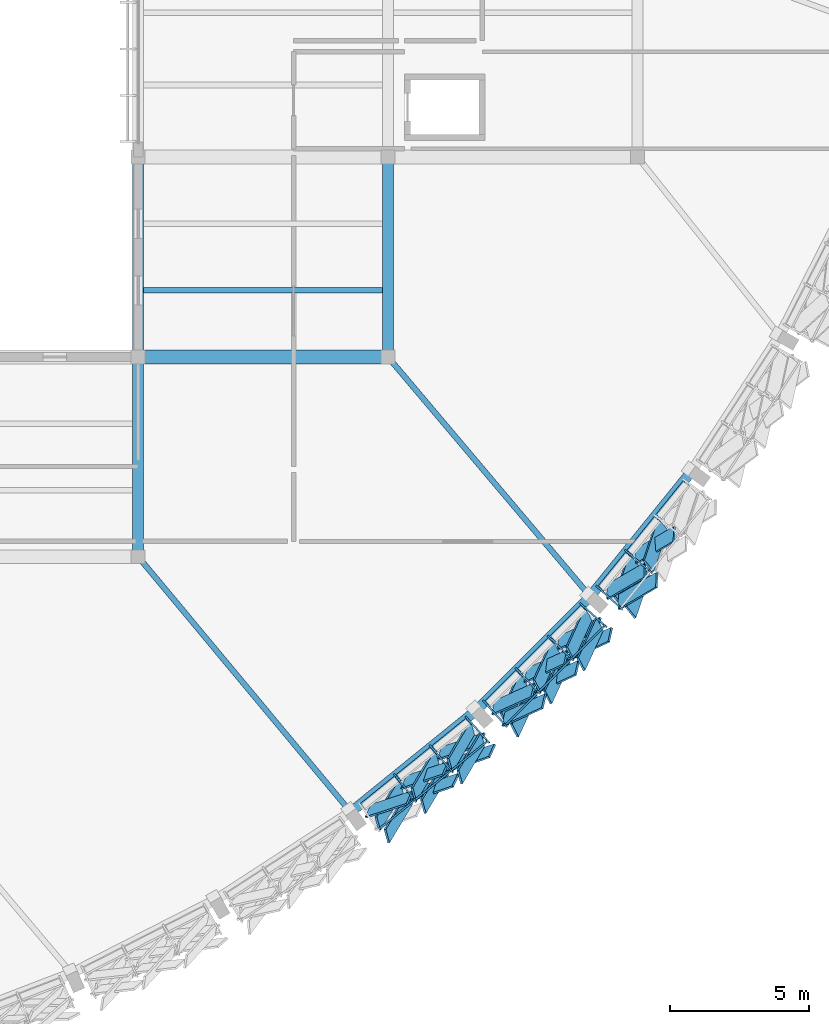
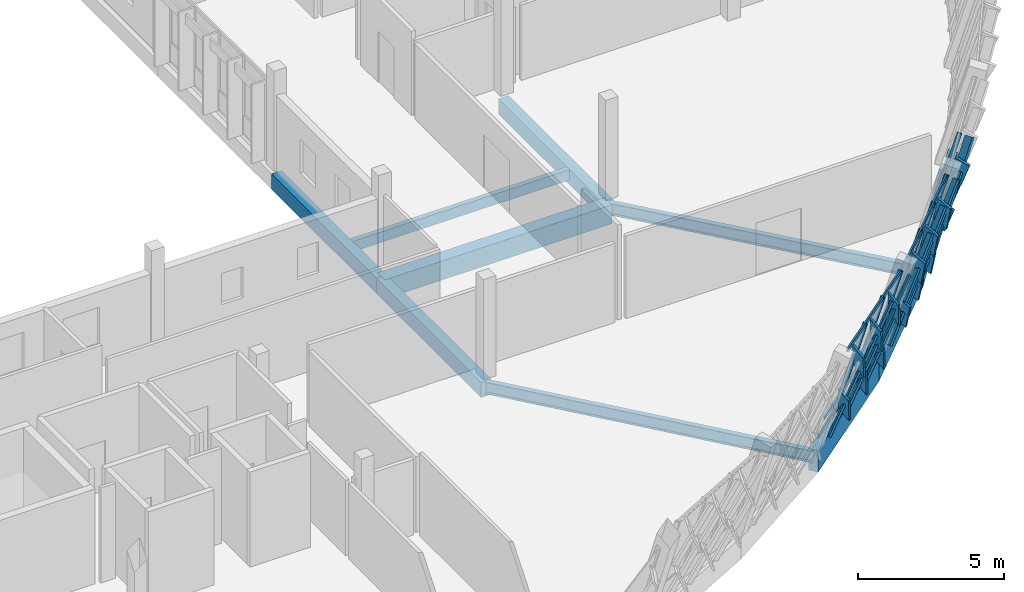
# One storey, part 8 of 24: 46 members, 10 beams, 3 elements without a shape of their own.
"""IFC4 building model written with IfcOpenShell, lengths in metres."""

import ifcopenshell
import ifcopenshell.guid

model = None  # the IFC model being written
_history = None  # IfcOwnerHistory: only IFC2X3 demands one
_inside = {}  # id of a spatial element -> (the spatial element, [elements in it])
_under = {}  # id of a project, library or spatial element -> (it, [spatial elements below it])
_declared = {}  # id of a project -> (the project, [libraries it declares])
_typed = {}  # id of a type object -> (the type object, [elements of that type])
_made_of = {}  # id of a material, layer set ... -> (it, [elements and type objects made of it])


def new_model(schema):
    """Start an empty IFC model of exactly this schema.

    Asked for "IFC4X3", IfcOpenShell would pick the latest addendum, in which some entities
    have other attributes; the version numbers below select the first issue.
    IFC2X3 requires an IfcOwnerHistory on every rooted entity: one is made here for all.
    """
    global model, _history
    if schema == "IFC4X3":
        model = ifcopenshell.file(schema_version=(4, 3, 0, 0))
    else:
        model = ifcopenshell.file(schema=schema)
    _inside.clear()
    _under.clear()
    _declared.clear()
    _typed.clear()
    _made_of.clear()
    _history = None
    if model.schema == "IFC2X3":
        org = make("IfcOrganization", Name="unknown")
        user = make(
            "IfcPersonAndOrganization",
            ThePerson=make("IfcPerson", FamilyName="unknown"),
            TheOrganization=org,
        )
        app = make(
            "IfcApplication",
            ApplicationDeveloper=org,
            Version="unknown",
            ApplicationFullName="unknown",
            ApplicationIdentifier="unknown",
        )
        _history = make(
            "IfcOwnerHistory",
            OwningUser=user,
            OwningApplication=app,
            ChangeAction="ADDED",
            CreationDate=0,
        )
    return model


def make(cls, **values):
    """One entity of the class cls with the attributes given. An attribute that is None is left unset."""
    return model.create_entity(
        cls, **{name: value for name, value in values.items() if value is not None}
    )


def rooted(cls, **values):
    """An entity with a GlobalId (a new one), such as an element, a storey or a relation."""
    return make(cls, GlobalId=ifcopenshell.guid.new(), OwnerHistory=_history, **values)


def si_unit(unit_type, name, prefix=None):
    """IfcSIUnit, for example si_unit("LENGTHUNIT", "METRE", prefix="MILLI")."""
    return make("IfcSIUnit", UnitType=unit_type, Prefix=prefix, Name=name)


def assignment(units):
    """IfcUnitAssignment: the units of a project."""
    return None if units is None else make("IfcUnitAssignment", Units=units)


def point(xyz):
    """IfcCartesianPoint."""
    return None if xyz is None else make("IfcCartesianPoint", Coordinates=xyz)


def direction(xyz):
    """IfcDirection."""
    return None if xyz is None else make("IfcDirection", DirectionRatios=xyz)


def frame(location, z_axis=None, x_axis=None):
    """IfcAxis2Placement3D, a coordinate frame: its origin and axes. An axis left out is left unset."""
    return make(
        "IfcAxis2Placement3D",
        Location=point(location),
        Axis=direction(z_axis),
        RefDirection=direction(x_axis),
    )


def frame_2d(location, x_axis=None):
    """IfcAxis2Placement2D, a coordinate frame in the plane: its origin and x axis."""
    return make(
        "IfcAxis2Placement2D", Location=point(location), RefDirection=direction(x_axis)
    )


def origin():
    """The frame at (0, 0, 0) with its axes left unset."""
    return frame((0.0, 0.0, 0.0))


def origin_2d():
    """The frame at (0, 0) in the plane with its x axis left unset."""
    return frame_2d((0.0, 0.0))


def place(relative_to, where):
    """IfcLocalPlacement: puts the frame where relative to a parent placement (None: the world)."""
    return make(
        "IfcLocalPlacement", PlacementRelTo=relative_to, RelativePlacement=where
    )


def context(
    kind, dimensions, precision=None, world=None, true_north=None, identifier=None
):
    """IfcGeometricRepresentationContext, for example the 3D "Model" context."""
    return make(
        "IfcGeometricRepresentationContext",
        ContextIdentifier=identifier,
        ContextType=kind,
        CoordinateSpaceDimension=dimensions,
        Precision=precision,
        WorldCoordinateSystem=world,
        TrueNorth=true_north,
    )


def subcontext(parent, identifier, kind, view, scale=None):
    """IfcGeometricRepresentationSubContext, for example "Body" below "Model"."""
    return make(
        "IfcGeometricRepresentationSubContext",
        ContextIdentifier=identifier,
        ContextType=kind,
        ParentContext=parent,
        TargetScale=scale,
        TargetView=view,
    )


def project(units=None, contexts=None):
    """IfcProject with its units and contexts."""
    return rooted(
        "IfcProject",
        Name="project",
        RepresentationContexts=contexts,
        UnitsInContext=assignment(units),
    )


def spatial(cls, under=None, at=None, **own):
    """A site, building, storey or space (cls), placed at a placement, below another one or the project."""
    s = rooted(cls, ObjectPlacement=at, **own)
    if under is not None:
        _under.setdefault(under.id(), (under, []))[1].append(s)
    return s


def profile(cls, at=None, kind="AREA", **sizes):
    """A parametric profile (cls). Its sizes go by their IFC names, for example OverallWidth=200.0."""
    return make(cls, ProfileType=kind, Position=at, **sizes)


def rectangle(**sizes):
    """IfcRectangleProfileDef."""
    return profile("IfcRectangleProfileDef", **sizes)


def hollow_rectangle(**sizes):
    """IfcRectangleHollowProfileDef."""
    return profile("IfcRectangleHollowProfileDef", **sizes)


def i_section(**sizes):
    """IfcIShapeProfileDef."""
    return profile("IfcIShapeProfileDef", **sizes)


def extrude(swept, where, along, depth):
    """IfcExtrudedAreaSolid: the profile swept, set in the frame where, extruded along a direction by depth."""
    return make(
        "IfcExtrudedAreaSolid",
        SweptArea=swept,
        Position=where,
        ExtrudedDirection=direction(along),
        Depth=depth,
    )


def shape(context_of_items, identifier, shape_type, items):
    """IfcShapeRepresentation: the items that make up one representation, for example the "Body"."""
    return make(
        "IfcShapeRepresentation",
        ContextOfItems=context_of_items,
        RepresentationIdentifier=identifier,
        RepresentationType=shape_type,
        Items=items,
    )


def material(Name=None, Category=None):
    """IfcMaterial."""
    return make("IfcMaterial", Name=Name, Category=Category)


def material_profile(
    of_material, cross_section, Name=None, Category=None, Priority=None
):
    """IfcMaterialProfile: a cross section and its material."""
    return make(
        "IfcMaterialProfile",
        Name=Name,
        Material=of_material,
        Profile=cross_section,
        Priority=Priority,
        Category=Category,
    )


def profile_set(profiles, Name=None, composite=None):
    """IfcMaterialProfileSet."""
    return make(
        "IfcMaterialProfileSet",
        Name=Name,
        MaterialProfiles=profiles,
        CompositeProfile=composite,
    )


def made_of(thing, what):
    """Note that an element or type object is made of a material, layer set ...; save() writes the relation."""
    if what is not None:
        _made_of.setdefault(what.id(), (what, []))[1].append(thing)
    return thing


def type_object(cls, material=None, **own):
    """A type object (cls), such as IfcWallType, which elements share."""
    return made_of(rooted(cls, **own), material)


def element(
    cls,
    number,
    at=None,
    inside=None,
    cuts=None,
    type_object=None,
    material=None,
    context=None,
    identifier="Body",
    shape_type=None,
    held_by="IfcProductDefinitionShape",
    body=None,
    shapes=None,
    **own,
):
    """One element of the class cls, such as IfcWall. Its Tag is "e" and its number.

    at: its placement. inside: the storey or other place that contains it. cuts: it is an
    opening in that element (IfcRelVoidsElement). A single representation is given by context,
    identifier, shape_type and body (its items); several are given by shapes. held_by: the class
    of the entity that holds the representations. save() writes the other relations.
    """
    e = rooted(cls, Tag="e%d" % number, ObjectPlacement=at, **own)
    if body is not None:
        shapes = [shape(context, identifier, shape_type, body)]
    if shapes is not None:
        e.Representation = make(held_by, Representations=shapes)
    if inside is not None:
        _inside.setdefault(inside.id(), (inside, []))[1].append(e)
    if cuts is not None:
        rooted(
            "IfcRelVoidsElement", RelatingBuildingElement=cuts, RelatedOpeningElement=e
        )
    if type_object is not None:
        _typed.setdefault(type_object.id(), (type_object, []))[1].append(e)
    return made_of(e, material)


def aggregate(whole, parts):
    """IfcRelAggregates: a whole, such as a stair, and the parts it consists of."""
    return rooted("IfcRelAggregates", RelatingObject=whole, RelatedObjects=parts)


def save(model, path):
    """Write the relations noted so far, then the file.

    IfcRelAggregates (storeys below a building ...), IfcRelContainedInSpatialStructure (elements
    in a storey), IfcRelDefinesByType, IfcRelAssociatesMaterial and IfcRelDeclares: one each for
    every whole, place, type object, material and project.
    """
    for whole, parts in _under.values():
        aggregate(whole, parts)
    for where, things in _inside.values():
        rooted(
            "IfcRelContainedInSpatialStructure",
            RelatedElements=things,
            RelatingStructure=where,
        )
    for kind, things in _typed.values():
        rooted("IfcRelDefinesByType", RelatedObjects=things, RelatingType=kind)
    for what, things in _made_of.values():
        rooted("IfcRelAssociatesMaterial", RelatedObjects=things, RelatingMaterial=what)
    for by, libraries in _declared.values():
        rooted("IfcRelDeclares", RelatingContext=by, RelatedDefinitions=libraries)
    model.write(path)


model = new_model("IFC4")

# Units and contexts
model_context = context("Model", 3, precision=1e-05, world=origin(), true_north=direction((0.0, 1.0)))
body_context = subcontext(model_context, "Body", "Model", "MODEL_VIEW")
ifc_project = project(units=[si_unit("LENGTHUNIT", "METRE"), si_unit("AREAUNIT", "SQUARE_METRE"), si_unit("VOLUMEUNIT", "CUBIC_METRE"), si_unit("PLANEANGLEUNIT", "RADIAN"), si_unit("MASSUNIT", "GRAM", prefix="KILO")], contexts=[model_context])

# Site, building, storey
site_placement = place(None, origin())
site = spatial("IfcSite", under=ifc_project, at=site_placement, CompositionType="ELEMENT")
building_placement = place(site_placement, origin())
building = spatial("IfcBuilding", under=site, at=building_placement, Name="Chiffa Square Polytechnic", CompositionType="ELEMENT")
storey_placement = place(building_placement, frame((0.0, 0.0, 22.199951171875)))
storey = spatial("IfcBuildingStorey", under=building, at=storey_placement, Name="L05", CompositionType="ELEMENT", Elevation=22.199951171875)

# Beams
ifc_material_1 = material(Name="Concrete C35/45", Category="concrete")
ifc_material_profile_1 = material_profile(ifc_material_1, rectangle(XDim=0.39990234375, YDim=0.64990234375, at=origin_2d()), Name="RC 400x650")
ifc_profile_set_1 = profile_set([ifc_material_profile_1], Name="Concrete C35/45")
beam_type_1 = type_object("IfcBeamType", Name="BM-RC-400X650", PredefinedType="BEAM", material=ifc_profile_set_1)
for number, where, z_axis, x_axis, name in (
    (1, (148.199951171875, 21.60009765625, -0.5849609375), (0.0, 1.0, 0.0), (-1.0, 0.0, 0.0), "Primary floor girder BM-V1-L05-Y-1482-0216"),
    (2, (148.199951171875, 28.800048828125, -0.5849609375), (0.0, 1.0, 0.0), (-1.0, 0.0, 0.0), "Primary floor girder BM-V1-L05-Y-1482-0288"),
    (3, (157.199951171875, 28.800048828125, -0.5849609375), (0.0, 1.0, 0.0), (-1.0, 0.0, 0.0), "Primary floor girder BM-V1-L05-Y-1572-0288"),
):
    element("IfcBeam", number, at=place(storey_placement, frame(where, z_axis=z_axis, x_axis=x_axis)), inside=storey, type_object=beam_type_1, Name=name, PredefinedType="BEAM", context=body_context, shape_type="SweptSolid", body=[
        extrude(rectangle(XDim=0.39990234375, YDim=0.64990234375, at=origin_2d()), origin(), (0.0, 0.0, 1.0), 7.199951171875),
    ])
ifc_material_2 = material(Name="Concrete C40/50", Category="concrete")
ifc_material_profile_2 = material_profile(ifc_material_2, rectangle(XDim=0.5, YDim=0.800048828125, at=origin_2d()), Name="RC 500x800")
ifc_profile_set_2 = profile_set([ifc_material_profile_2], Name="Concrete C40/50")
beam_type_2 = type_object("IfcBeamType", Name="BM-RC-500X800", PredefinedType="BEAM", material=ifc_profile_set_2)
beam_1_placement = place(storey_placement, frame((148.199951171875, 28.800048828125, -0.659912109375), z_axis=(1.0, 0.0, 0.0), x_axis=(0.0, 1.0, 0.0)))
element("IfcBeam", 4, at=beam_1_placement, inside=storey, type_object=beam_type_2, Name="Primary floor girder BM-V1-L05-X-1482-0288", PredefinedType="BEAM", context=body_context, shape_type="SweptSolid", body=[
    extrude(rectangle(XDim=0.5, YDim=0.800048828125, at=origin_2d()), origin(), (0.0, 0.0, 1.0), 9.0),
])
ifc_material_3 = material(Name="Steel S355", Category="steel")
ifc_material_profile_3 = material_profile(ifc_material_3, i_section(OverallWidth=0.199951171875, OverallDepth=0.5, WebThickness=0.01025390625, FlangeThickness=0.01611328125, FilletRadius=0.02099609375, at=origin_2d()), Name="IPE 500")
ifc_profile_set_3 = profile_set([ifc_material_profile_3], Name="Steel S355")
beam_type_3 = type_object("IfcBeamType", Name="BM-STL-IPE500", PredefinedType="BEAM", material=ifc_profile_set_3)
beam_2_placement = place(storey_placement, frame((155.861083984375, 12.39697265625, -0.510009765625), z_axis=(-0.63978323212, 0.768555408476, 0.0), x_axis=(-0.768555408476, -0.63978323212, 0.0)))
element("IfcBeam", 5, at=beam_2_placement, inside=storey, type_object=beam_type_3, Name="Prow radial tie girder BM-V1-RAD-L05-09", PredefinedType="BEAM", context=body_context, shape_type="SweptSolid", body=[
    extrude(i_section(OverallWidth=0.199951171875, OverallDepth=0.5, WebThickness=0.01025390625, FlangeThickness=0.01611328125, FilletRadius=0.02099609375, at=origin_2d()), origin(), (0.0, 0.0, 1.0), 11.974609375),
])
beam_3_placement = place(storey_placement, frame((164.492919921875, 20.1689453125, -0.510009765625), z_axis=(-0.645412293645, 0.763834387293, 0.0), x_axis=(-0.763834387293, -0.645412293645, 0.0)))
element("IfcBeam", 6, at=beam_3_placement, inside=storey, type_object=beam_type_3, Name="Prow radial tie girder BM-V1-RAD-L05-11", PredefinedType="BEAM", context=body_context, shape_type="SweptSolid", body=[
    extrude(i_section(OverallWidth=0.199951171875, OverallDepth=0.5, WebThickness=0.01025390625, FlangeThickness=0.01611328125, FilletRadius=0.02099609375, at=origin_2d()), origin(), (0.0, 0.0, 1.0), 11.2998046875),
])

# Curtain wall, members
ifc_material_4 = material(Name="Aluminium EN AW-6060 T66 and glulam shading", Category="wood")
curtain_wall_type_1 = type_object("IfcCurtainWallType", Name="CW-PROW-LEAN-150", PredefinedType="USERDEFINED", material=ifc_material_4)
curtain_wall_1_placement = place(storey_placement, origin())
curtain_wall_1 = element("IfcCurtainWall", 7, at=curtain_wall_1_placement, inside=storey, type_object=curtain_wall_type_1, Name="Outward-leaning diamond-fin prow curtain wall CW-V1-L05-086", ObjectType="CURTAIN WALL", PredefinedType="USERDEFINED")
ifc_material_5 = material(Name="Aluminium EN AW-6060 T66", Category="aluminium")
ifc_material_profile_4 = material_profile(ifc_material_5, hollow_rectangle(XDim=0.06494140625, YDim=0.179931640625, WallThickness=0.00390625, at=origin_2d()), Name="ALU 65x180x4")
ifc_profile_set_4 = profile_set([ifc_material_profile_4], Name="Aluminium EN AW-6060 T66")
member_type_1 = type_object("IfcMemberType", Name="CWM-ALU-75X180", PredefinedType="MULLION", material=ifc_profile_set_4)
member_1_placement = place(storey_placement, frame((157.47900390625, 13.707275390625, 0.0), z_axis=(0.167404723396, -0.214450409061, 0.962282017206), x_axis=(0.78826444507, 0.61533662709, 0.0)))
member_1 = element("IfcMember", 8, at=member_1_placement, type_object=member_type_1, Name="Leaning prow mullion CW-V1-L05-086-M01", PredefinedType="MULLION", context=body_context, shape_type="SweptSolid", body=[
    extrude(hollow_rectangle(XDim=0.06494140625, YDim=0.179931640625, WallThickness=0.00390625, at=origin_2d()), origin(), (0.0, 0.0, 1.0), 4.135986328125),
])
member_2_placement = place(storey_placement, frame((158.762939453125, 14.74658203125, 0.0), z_axis=(0.174730062693, -0.208377405847, 0.962314014199), x_axis=(0.766260492227, 0.642530044474, 0.0)))
member_2 = element("IfcMember", 9, at=member_2_placement, type_object=member_type_1, Name="Leaning prow mullion CW-V1-L05-086-M02", PredefinedType="MULLION", context=body_context, shape_type="SweptSolid", body=[
    extrude(hollow_rectangle(XDim=0.06494140625, YDim=0.179931640625, WallThickness=0.00390625, at=origin_2d()), origin(), (0.0, 0.0, 1.0), 4.1357421875),
])
member_3_placement = place(storey_placement, frame((160.047119140625, 15.785888671875, 0.0), z_axis=(0.182037231982, -0.202342292877, 0.962247391623), x_axis=(0.743423534247, 0.668820939212, 0.0)))
member_3 = element("IfcMember", 10, at=member_3_placement, type_object=member_type_1, Name="Leaning prow mullion CW-V1-L05-086-M03", PredefinedType="MULLION", context=body_context, shape_type="SweptSolid", body=[
    extrude(hollow_rectangle(XDim=0.06494140625, YDim=0.179931640625, WallThickness=0.00390625, at=origin_2d()), origin(), (0.0, 0.0, 1.0), 4.13623046875),
])

curtain_wall_type_2 = type_object("IfcCurtainWallType", Name="CW-PROW-LEAN-300", PredefinedType="USERDEFINED", material=ifc_material_4)
curtain_wall_2_placement = place(storey_placement, origin())
curtain_wall_2 = element("IfcCurtainWall", 11, at=curtain_wall_2_placement, inside=storey, type_object=curtain_wall_type_2, Name="Outward-leaning diamond-fin prow curtain wall CW-V1-L05-087", ObjectType="CURTAIN WALL", PredefinedType="USERDEFINED")
member_4_placement = place(storey_placement, frame((160.68505859375, 16.361083984375, 0.0), z_axis=(0.182035057537, -0.202398901523, 0.962235897527), x_axis=(0.743520520502, 0.668713119052, 0.0)))
member_4 = element("IfcMember", 12, at=member_4_placement, type_object=member_type_1, Name="Leaning prow mullion CW-V1-L05-087-M00", PredefinedType="MULLION", context=body_context, shape_type="SweptSolid", body=[
    extrude(hollow_rectangle(XDim=0.06494140625, YDim=0.179931640625, WallThickness=0.00390625, at=origin_2d()), origin(), (0.0, 0.0, 1.0), 4.13623046875),
])
member_5_placement = place(storey_placement, frame((161.85302734375, 17.529052734375, 0.0), z_axis=(0.188840408446, -0.195628982053, 0.962324582207), x_axis=(0.719480013975, 0.694513145657, 0.0)))
member_5 = element("IfcMember", 13, at=member_5_placement, type_object=member_type_1, Name="Leaning prow mullion CW-V1-L05-087-M01", PredefinedType="MULLION", context=body_context, shape_type="SweptSolid", body=[
    extrude(hollow_rectangle(XDim=0.06494140625, YDim=0.179931640625, WallThickness=0.00390625, at=origin_2d()), origin(), (0.0, 0.0, 1.0), 4.1357421875),
])
member_6_placement = place(storey_placement, frame((163.02099609375, 18.697021484375, 0.0), z_axis=(0.195628982053, -0.188840408446, 0.962324582207), x_axis=(0.694513145657, 0.719480013975, 0.0)))
member_6 = element("IfcMember", 14, at=member_6_placement, type_object=member_type_1, Name="Leaning prow mullion CW-V1-L05-087-M02", PredefinedType="MULLION", context=body_context, shape_type="SweptSolid", body=[
    extrude(hollow_rectangle(XDim=0.06494140625, YDim=0.179931640625, WallThickness=0.00390625, at=origin_2d()), origin(), (0.0, 0.0, 1.0), 4.1357421875),
])
member_7_placement = place(storey_placement, frame((164.18896484375, 19.864990234375, 0.0), z_axis=(0.202342292877, -0.182037231982, 0.962247391623), x_axis=(0.668820939212, 0.743423534247, 0.0)))
member_7 = element("IfcMember", 15, at=member_7_placement, type_object=member_type_1, Name="Leaning prow mullion CW-V1-L05-087-M03", PredefinedType="MULLION", context=body_context, shape_type="SweptSolid", body=[
    extrude(hollow_rectangle(XDim=0.06494140625, YDim=0.179931640625, WallThickness=0.00390625, at=origin_2d()), origin(), (0.0, 0.0, 1.0), 4.13623046875),
])

curtain_wall_3_placement = place(storey_placement, origin())
curtain_wall_3 = element("IfcCurtainWall", 16, at=curtain_wall_3_placement, inside=storey, type_object=curtain_wall_type_1, Name="Outward-leaning diamond-fin prow curtain wall CW-V1-L05-088", ObjectType="CURTAIN WALL", PredefinedType="USERDEFINED")
member_8_placement = place(storey_placement, frame((164.763916015625, 20.5029296875, 0.0), z_axis=(0.202398901523, -0.182035057537, 0.962235897527), x_axis=(0.668713119052, 0.743520520502, 0.0)))
member_8 = element("IfcMember", 17, at=member_8_placement, type_object=member_type_1, Name="Leaning prow mullion CW-V1-L05-088-M00", PredefinedType="MULLION", context=body_context, shape_type="SweptSolid", body=[
    extrude(hollow_rectangle(XDim=0.06494140625, YDim=0.179931640625, WallThickness=0.00390625, at=origin_2d()), origin(), (0.0, 0.0, 1.0), 4.13623046875),
])
member_9_placement = place(storey_placement, frame((165.80322265625, 21.787109375, 0.0), z_axis=(0.208431721918, -0.17478513979, 0.962292248855), x_axis=(0.642550618395, 0.76624323997, 0.0)))
member_9 = element("IfcMember", 18, at=member_9_placement, type_object=member_type_1, Name="Leaning prow mullion CW-V1-L05-088-M01", PredefinedType="MULLION", context=body_context, shape_type="SweptSolid", body=[
    extrude(hollow_rectangle(XDim=0.06494140625, YDim=0.179931640625, WallThickness=0.00390625, at=origin_2d()), origin(), (0.0, 0.0, 1.0), 4.135986328125),
])

# Member
ifc_material_6 = material(Name="Glulam GL28h", Category="wood")
ifc_material_profile_5 = material_profile(ifc_material_6, rectangle(XDim=0.080078125, YDim=0.580078125, at=origin_2d()), Name="GL28h 80x580")
ifc_profile_set_5 = profile_set([ifc_material_profile_5], Name="Glulam GL28h")
member_type_2 = type_object("IfcMemberType", Name="CWM-GL-80X580", PredefinedType="MULLION", material=ifc_profile_set_5)
member_10_placement = place(storey_placement, frame((156.508056640625, 12.425048828125, 0.0400390625), z_axis=(0.593318250374, 0.196176232043, 0.780697341967), x_axis=(-0.710439103611, 0.583623525674, 0.393268178652)))
member_10 = element("IfcMember", 19, at=member_10_placement, type_object=member_type_2, Name="Diamond glulam fin CW-V1-L05-086-DF01A", PredefinedType="MULLION", context=body_context, shape_type="SweptSolid", body=[
    extrude(rectangle(XDim=0.080078125, YDim=0.580078125, at=origin_2d()), origin(), (0.0, 0.0, 1.0), 2.497802734375),
])

member_11_placement = place(storey_placement, frame((157.65087890625, 13.35009765625, 0.0400390625), z_axis=(-0.324465182895, -0.544326665035, 0.773583109188), x_axis=(0.916815363413, 0.020259953301, 0.398797095904)))
member_11 = element("IfcMember", 20, at=member_11_placement, type_object=member_type_2, Name="Diamond glulam fin CW-V1-L05-086-DF01B", PredefinedType="MULLION", context=body_context, shape_type="SweptSolid", body=[
    extrude(rectangle(XDim=0.080078125, YDim=0.580078125, at=origin_2d()), origin(), (0.0, 0.0, 1.0), 2.520751953125),
])

member_12_placement = place(storey_placement, frame((157.989990234375, 12.9150390625, 1.989990234375), z_axis=(-0.328354274233, -0.546453279533, 0.770436424295), x_axis=(0.915861260637, 0.015324164928, 0.401202344501)))
member_12 = element("IfcMember", 21, at=member_12_placement, type_object=member_type_2, Name="Diamond glulam fin CW-V1-L05-086-DF02B", PredefinedType="MULLION", context=body_context, shape_type="SweptSolid", body=[
    extrude(rectangle(XDim=0.080078125, YDim=0.580078125, at=origin_2d()), origin(), (0.0, 0.0, 1.0), 2.531005859375),
])

member_13_placement = place(storey_placement, frame((157.79296875, 13.464111328125, 0.0400390625), z_axis=(0.59641014435, 0.200101053653, 0.777338091208), x_axis=(-0.710984677845, 0.58117819907, 0.39589479511)))
member_13 = element("IfcMember", 22, at=member_13_placement, type_object=member_type_2, Name="Diamond glulam fin CW-V1-L05-086-DF03A", PredefinedType="MULLION", context=body_context, shape_type="SweptSolid", body=[
    extrude(rectangle(XDim=0.080078125, YDim=0.580078125, at=origin_2d()), origin(), (0.0, 0.0, 1.0), 2.508544921875),
])

member_14_placement = place(storey_placement, frame((158.93603515625, 14.388916015625, 0.0400390625), z_axis=(-0.320075464149, -0.541666170098, 0.77727051753), x_axis=(0.917911629644, 0.025767162905, 0.395947336751)))
member_14 = element("IfcMember", 23, at=member_14_placement, type_object=member_type_2, Name="Diamond glulam fin CW-V1-L05-086-DF03B", PredefinedType="MULLION", context=body_context, shape_type="SweptSolid", body=[
    extrude(rectangle(XDim=0.080078125, YDim=0.580078125, at=origin_2d()), origin(), (0.0, 0.0, 1.0), 2.5087890625),
])

member_15_placement = place(storey_placement, frame((158.133056640625, 13.030029296875, 1.989990234375), z_axis=(0.599190906854, 0.203672560314, 0.774265939661), x_axis=(-0.711445828794, 0.578985574417, 0.398271938892)))
member_15 = element("IfcMember", 24, at=member_15_placement, type_object=member_type_2, Name="Diamond glulam fin CW-V1-L05-086-DF04A", PredefinedType="MULLION", context=body_context, shape_type="SweptSolid", body=[
    extrude(rectangle(XDim=0.080078125, YDim=0.580078125, at=origin_2d()), origin(), (0.0, 0.0, 1.0), 2.5185546875),
])

member_16_placement = place(storey_placement, frame((159.2890625, 13.966064453125, 1.989990234375), z_axis=(-0.323995014816, -0.543900694928, 0.77407962409), x_axis=(0.916969290364, 0.020797404904, 0.39841534669)))
member_16 = element("IfcMember", 25, at=member_16_placement, type_object=member_type_2, Name="Diamond glulam fin CW-V1-L05-086-DF04B", PredefinedType="MULLION", context=body_context, shape_type="SweptSolid", body=[
    extrude(rectangle(XDim=0.080078125, YDim=0.580078125, at=origin_2d()), origin(), (0.0, 0.0, 1.0), 2.51904296875),
])

member_17_placement = place(storey_placement, frame((159.076904296875, 14.50390625, 0.0400390625), z_axis=(0.5996284414, 0.204042251994, 0.773829756255), x_axis=(-0.711377165001, 0.578838977216, 0.398607535768)))
member_17 = element("IfcMember", 26, at=member_17_placement, type_object=member_type_2, Name="Diamond glulam fin CW-V1-L05-086-DF05A", PredefinedType="MULLION", context=body_context, shape_type="SweptSolid", body=[
    extrude(rectangle(XDim=0.080078125, YDim=0.580078125, at=origin_2d()), origin(), (0.0, 0.0, 1.0), 2.519775390625),
])

member_18_placement = place(storey_placement, frame((160.219970703125, 15.428955078125, 0.0400390625), z_axis=(-0.31554773529, -0.539305097768, 0.780755812194), x_axis=(0.918899533682, 0.031621905464, 0.393222204478)))
member_18 = element("IfcMember", 27, at=member_18_placement, type_object=member_type_2, Name="Diamond glulam fin CW-V1-L05-086-DF05B", PredefinedType="MULLION", context=body_context, shape_type="SweptSolid", body=[
    extrude(rectangle(XDim=0.080078125, YDim=0.580078125, at=origin_2d()), origin(), (0.0, 0.0, 1.0), 2.49755859375),
])

member_19_placement = place(storey_placement, frame((159.431884765625, 14.08203125, 1.989990234375), z_axis=(0.602437481057, 0.207470860848, 0.77073012353), x_axis=(-0.711654659708, 0.576856645352, 0.400978872299)))
member_19 = element("IfcMember", 28, at=member_19_placement, type_object=member_type_2, Name="Diamond glulam fin CW-V1-L05-086-DF06A", PredefinedType="MULLION", context=body_context, shape_type="SweptSolid", body=[
    extrude(rectangle(XDim=0.080078125, YDim=0.580078125, at=origin_2d()), origin(), (0.0, 0.0, 1.0), 2.530029296875),
])

member_20_placement = place(storey_placement, frame((160.587890625, 15.01806640625, 1.989990234375), z_axis=(-0.319339529737, -0.541611525588, 0.777611226833), x_axis=(0.917995278791, 0.026836245041, 0.395682301941)))
member_20 = element("IfcMember", 29, at=member_20_placement, type_object=member_type_2, Name="Diamond glulam fin CW-V1-L05-086-DF06B", PredefinedType="MULLION", context=body_context, shape_type="SweptSolid", body=[
    extrude(rectangle(XDim=0.080078125, YDim=0.580078125, at=origin_2d()), origin(), (0.0, 0.0, 1.0), 2.507568359375),
])

member_21_placement = place(storey_placement, frame((161.02197265625, 16.152099609375, 0.0400390625), z_axis=(0.569453954124, 0.257011921956, 0.780811799415), x_axis=(-0.794121354062, 0.417378494984, 0.441776489809)))
member_21 = element("IfcMember", 30, at=member_21_placement, type_object=member_type_2, Name="Diamond glulam fin CW-V1-L05-087-DF01A", PredefinedType="MULLION", context=body_context, shape_type="SweptSolid", body=[
    extrude(rectangle(XDim=0.080078125, YDim=0.580078125, at=origin_2d()), origin(), (0.0, 0.0, 1.0), 2.497314453125),
])

member_22_placement = place(storey_placement, frame((162.06201171875, 17.19091796875, 0.0400390625), z_axis=(-0.265837151515, -0.574979407522, 0.773775994588), x_axis=(0.871441241107, 0.199886988567, 0.447923380836)))
member_22 = element("IfcMember", 31, at=member_22_placement, type_object=member_type_2, Name="Diamond glulam fin CW-V1-L05-087-DF01B", PredefinedType="MULLION", context=body_context, shape_type="SweptSolid", body=[
    extrude(rectangle(XDim=0.080078125, YDim=0.580078125, at=origin_2d()), origin(), (0.0, 0.0, 1.0), 2.52001953125),
])

member_23_placement = place(storey_placement, frame((161.39208984375, 15.741943359375, 1.989990234375), z_axis=(0.57183298468, 0.261234104869, 0.777665596568), x_axis=(-0.793994734944, 0.41467366799, 0.444542585089)))
member_23 = element("IfcMember", 32, at=member_23_placement, type_object=member_type_2, Name="Diamond glulam fin CW-V1-L05-087-DF02A", PredefinedType="MULLION", context=body_context, shape_type="SweptSolid", body=[
    extrude(rectangle(XDim=0.080078125, YDim=0.580078125, at=origin_2d()), origin(), (0.0, 0.0, 1.0), 2.50732421875),
])

member_24_placement = place(storey_placement, frame((162.444091796875, 16.7939453125, 1.989990234375), z_axis=(-0.269951957311, -0.577338281827, 0.770588378501), x_axis=(0.871339367639, 0.194090007324, 0.450662596029)))
member_24 = element("IfcMember", 33, at=member_24_placement, type_object=member_type_2, Name="Diamond glulam fin CW-V1-L05-087-DF02B", PredefinedType="MULLION", context=body_context, shape_type="SweptSolid", body=[
    extrude(rectangle(XDim=0.080078125, YDim=0.580078125, at=origin_2d()), origin(), (0.0, 0.0, 1.0), 2.530517578125),
])

member_25_placement = place(storey_placement, frame((162.18994140625, 17.320068359375, 0.0400390625), z_axis=(0.572364080749, 0.261465876398, 0.777196857011), x_axis=(-0.793686748422, 0.414823845329, 0.444952270166)))
member_25 = element("IfcMember", 34, at=member_25_placement, type_object=member_type_2, Name="Diamond glulam fin CW-V1-L05-087-DF03A", PredefinedType="MULLION", context=body_context, shape_type="SweptSolid", body=[
    extrude(rectangle(XDim=0.080078125, YDim=0.580078125, at=origin_2d()), origin(), (0.0, 0.0, 1.0), 2.509033203125),
])

member_26_placement = place(storey_placement, frame((163.22998046875, 18.360107421875, 0.0400390625), z_axis=(-0.261465876398, -0.572364080749, 0.777196857011), x_axis=(0.871525543415, 0.206059953529, 0.444952270166)))
member_26 = element("IfcMember", 35, at=member_26_placement, type_object=member_type_2, Name="Diamond glulam fin CW-V1-L05-087-DF03B", PredefinedType="MULLION", context=body_context, shape_type="SweptSolid", body=[
    extrude(rectangle(XDim=0.080078125, YDim=0.580078125, at=origin_2d()), origin(), (0.0, 0.0, 1.0), 2.509033203125),
])

member_27_placement = place(storey_placement, frame((162.573974609375, 16.924072265625, 1.989990234375), z_axis=(0.574519450611, 0.26559529183, 0.774200582425), x_axis=(-0.793630242827, 0.412121715739, 0.44755639766)))
member_27 = element("IfcMember", 36, at=member_27_placement, type_object=member_type_2, Name="Diamond glulam fin CW-V1-L05-087-DF04A", PredefinedType="MULLION", context=body_context, shape_type="SweptSolid", body=[
    extrude(rectangle(XDim=0.080078125, YDim=0.580078125, at=origin_2d()), origin(), (0.0, 0.0, 1.0), 2.5185546875),
])

member_28_placement = place(storey_placement, frame((163.6259765625, 17.97607421875, 1.989990234375), z_axis=(-0.26559529183, -0.574519450611, 0.774200582425), x_axis=(0.871558851928, 0.200196000308, 0.44755639766)))
member_28 = element("IfcMember", 37, at=member_28_placement, type_object=member_type_2, Name="Diamond glulam fin CW-V1-L05-087-DF04B", PredefinedType="MULLION", context=body_context, shape_type="SweptSolid", body=[
    extrude(rectangle(XDim=0.080078125, YDim=0.580078125, at=origin_2d()), origin(), (0.0, 0.0, 1.0), 2.5185546875),
])

member_29_placement = place(storey_placement, frame((163.35888671875, 18.488037109375, 0.0400390625), z_axis=(0.575044253065, 0.265822343398, 0.773732892391), x_axis=(-0.793320869209, 0.412278174126, 0.447960607215)))
member_29 = element("IfcMember", 38, at=member_29_placement, type_object=member_type_2, Name="Diamond glulam fin CW-V1-L05-087-DF05A", PredefinedType="MULLION", context=body_context, shape_type="SweptSolid", body=[
    extrude(rectangle(XDim=0.080078125, YDim=0.580078125, at=origin_2d()), origin(), (0.0, 0.0, 1.0), 2.520263671875),
])

member_30_placement = place(storey_placement, frame((164.39794921875, 19.528076171875, 0.0400390625), z_axis=(-0.257011921956, -0.569453954124, 0.780811799415), x_axis=(0.871630692379, 0.212352228985, 0.441776489809)))
member_30 = element("IfcMember", 39, at=member_30_placement, type_object=member_type_2, Name="Diamond glulam fin CW-V1-L05-087-DF05B", PredefinedType="MULLION", context=body_context, shape_type="SweptSolid", body=[
    extrude(rectangle(XDim=0.080078125, YDim=0.580078125, at=origin_2d()), origin(), (0.0, 0.0, 1.0), 2.497314453125),
])

member_31_placement = place(storey_placement, frame((163.756103515625, 18.10595703125, 1.989990234375), z_axis=(0.577338281827, 0.269951957311, 0.770588378501), x_axis=(-0.793101240318, 0.409748272902, 0.450662596029)))
member_31 = element("IfcMember", 40, at=member_31_placement, type_object=member_type_2, Name="Diamond glulam fin CW-V1-L05-087-DF06A", PredefinedType="MULLION", context=body_context, shape_type="SweptSolid", body=[
    extrude(rectangle(XDim=0.080078125, YDim=0.580078125, at=origin_2d()), origin(), (0.0, 0.0, 1.0), 2.530517578125),
])

member_32_placement = place(storey_placement, frame((164.80810546875, 19.157958984375, 1.989990234375), z_axis=(-0.261234104869, -0.57183298468, 0.777665596568), x_axis=(0.87166650247, 0.206347761106, 0.444542585089)))
member_32 = element("IfcMember", 41, at=member_32_placement, type_object=member_type_2, Name="Diamond glulam fin CW-V1-L05-087-DF06B", PredefinedType="MULLION", context=body_context, shape_type="SweptSolid", body=[
    extrude(rectangle(XDim=0.080078125, YDim=0.580078125, at=origin_2d()), origin(), (0.0, 0.0, 1.0), 2.50732421875),
])

member_33_placement = place(storey_placement, frame((165.12109375, 20.330078125, 0.0400390625), z_axis=(0.53932173128, 0.315459711227, 0.780779892647), x_axis=(-0.841500701882, 0.236859915019, 0.485565597411)))
member_33 = element("IfcMember", 42, at=member_33_placement, type_object=member_type_2, Name="Diamond glulam fin CW-V1-L05-088-DF01A", PredefinedType="MULLION", context=body_context, shape_type="SweptSolid", body=[
    extrude(rectangle(XDim=0.080078125, YDim=0.580078125, at=origin_2d()), origin(), (0.0, 0.0, 1.0), 2.49755859375),
])

member_34_placement = place(storey_placement, frame((166.0458984375, 21.472900390625, 0.0400390625), z_axis=(-0.203949396766, -0.599640292914, 0.773845050816), x_axis=(0.789451964422, 0.36671562736, 0.49222479064)))
member_34 = element("IfcMember", 43, at=member_34_placement, type_object=member_type_2, Name="Diamond glulam fin CW-V1-L05-088-DF01B", PredefinedType="MULLION", context=body_context, shape_type="SweptSolid", body=[
    extrude(rectangle(XDim=0.080078125, YDim=0.580078125, at=origin_2d()), origin(), (0.0, 0.0, 1.0), 2.519775390625),
])

member_35_placement = place(storey_placement, frame((165.531982421875, 19.9619140625, 1.989990234375), z_axis=(0.54152587976, 0.319443799262, 0.77762804776), x_axis=(-0.840261543518, 0.234989451844, 0.488610781714)))
member_35 = element("IfcMember", 44, at=member_35_placement, type_object=member_type_2, Name="Diamond glulam fin CW-V1-L05-088-DF02A", PredefinedType="MULLION", context=body_context, shape_type="SweptSolid", body=[
    extrude(rectangle(XDim=0.080078125, YDim=0.580078125, at=origin_2d()), origin(), (0.0, 0.0, 1.0), 2.507568359375),
])

member_36_placement = place(storey_placement, frame((166.468017578125, 21.117919921875, 1.989990234375), z_axis=(-0.207482922056, -0.602375999756, 0.770774929518), x_axis=(0.790087549832, 0.36140331676, 0.495125545932)))
member_36 = element("IfcMember", 45, at=member_36_placement, type_object=member_type_2, Name="Diamond glulam fin CW-V1-L05-088-DF02B", PredefinedType="MULLION", context=body_context, shape_type="SweptSolid", body=[
    extrude(rectangle(XDim=0.080078125, YDim=0.580078125, at=origin_2d()), origin(), (0.0, 0.0, 1.0), 2.52978515625),
])

member_37_placement = place(storey_placement, frame((166.160888671875, 21.614013671875, 0.0400390625), z_axis=(0.541734928603, 0.320058591733, 0.777229544594), x_axis=(-0.840152807678, 0.23458163448, 0.488993575127)))
member_37 = element("IfcMember", 46, at=member_37_placement, type_object=member_type_2, Name="Diamond glulam fin CW-V1-L05-088-DF03A", PredefinedType="MULLION", context=body_context, shape_type="SweptSolid", body=[
    extrude(rectangle(XDim=0.080078125, YDim=0.580078125, at=origin_2d()), origin(), (0.0, 0.0, 1.0), 2.5087890625),
])

member_38_placement = place(storey_placement, frame((167.0859375, 22.757080078125, 0.0400390625), z_axis=(-0.200101053653, -0.59641014435, 0.777338091208), x_axis=(0.788791144253, 0.37255298628, 0.488889356768)))
member_38 = element("IfcMember", 47, at=member_38_placement, type_object=member_type_2, Name="Diamond glulam fin CW-V1-L05-088-DF03B", PredefinedType="MULLION", context=body_context, shape_type="SweptSolid", body=[
    extrude(rectangle(XDim=0.080078125, YDim=0.580078125, at=origin_2d()), origin(), (0.0, 0.0, 1.0), 2.508544921875),
])

ifc_material_profile_6 = material_profile(ifc_material_5, hollow_rectangle(XDim=0.06494140625, YDim=0.139892578125, WallThickness=0.00390625, at=origin_2d()), Name="ALU 65x140x4")
ifc_profile_set_6 = profile_set([ifc_material_profile_6], Name="Aluminium EN AW-6060 T66")
member_type_3 = type_object("IfcMemberType", Name="CWT-ALU-75X140", PredefinedType="USERDEFINED", material=ifc_profile_set_6)
member_39_placement = place(storey_placement, frame((156.20166015625, 12.65869140625, 0.0400390625), z_axis=(0.777266661768, 0.629171309345, 0.0), x_axis=(-0.629171309345, 0.777266661768, 0.0)))
member_39 = element("IfcMember", 48, at=member_39_placement, type_object=member_type_3, Name="Leaning prow transom CW-V1-L05-086-T01", ObjectType="TRANSOM", PredefinedType="USERDEFINED", context=body_context, shape_type="SweptSolid", body=[
    extrude(hollow_rectangle(XDim=0.06494140625, YDim=0.139892578125, WallThickness=0.00390625, at=origin_2d()), origin(), (0.0, 0.0, 1.0), 4.95703125),
])

member_40_placement = place(storey_placement, frame((156.33642578125, 12.47314453125, 0.85009765625), z_axis=(0.777235739007, 0.629209508837, 0.0), x_axis=(-0.629209508837, 0.777235739007, 0.0)))
member_40 = element("IfcMember", 49, at=member_40_placement, type_object=member_type_3, Name="Leaning prow transom CW-V1-L05-086-T02", ObjectType="TRANSOM", PredefinedType="USERDEFINED", context=body_context, shape_type="SweptSolid", body=[
    extrude(hollow_rectangle(XDim=0.06494140625, YDim=0.139892578125, WallThickness=0.00390625, at=origin_2d()), origin(), (0.0, 0.0, 1.0), 4.98095703125),
])

member_41_placement = place(storey_placement, frame((156.850341796875, 11.76513671875, 3.93994140625), z_axis=(0.777136140704, 0.629332518477, 0.0), x_axis=(-0.629332518477, 0.777136140704, 0.0)))
member_41 = element("IfcMember", 50, at=member_41_placement, type_object=member_type_3, Name="Leaning prow transom CW-V1-L05-086-T03", ObjectType="TRANSOM", PredefinedType="USERDEFINED", context=body_context, shape_type="SweptSolid", body=[
    extrude(hollow_rectangle(XDim=0.06494140625, YDim=0.139892578125, WallThickness=0.00390625, at=origin_2d()), origin(), (0.0, 0.0, 1.0), 5.07275390625),
])

aggregate(curtain_wall_1, [member_1, member_2, member_3, member_39, member_40, member_41, member_10, member_11, member_12, member_13, member_14, member_15, member_16, member_17, member_18, member_19, member_20])

member_42_placement = place(storey_placement, frame((160.692626953125, 16.3525390625, 0.0400390625), z_axis=(0.707106781187, 0.707106781187, 0.0), x_axis=(-0.707106781187, 0.707106781187, 0.0)))
member_42 = element("IfcMember", 51, at=member_42_placement, type_object=member_type_3, Name="Leaning prow transom CW-V1-L05-087-T01", ObjectType="TRANSOM", PredefinedType="USERDEFINED", context=body_context, shape_type="SweptSolid", body=[
    extrude(hollow_rectangle(XDim=0.06494140625, YDim=0.139892578125, WallThickness=0.00390625, at=origin_2d()), origin(), (0.0, 0.0, 1.0), 4.95654296875),
])

member_43_placement = place(storey_placement, frame((160.845703125, 16.18212890625, 0.85009765625), z_axis=(0.707131287981, 0.707082273543, 0.0), x_axis=(-0.707082273543, 0.707131287981, 0.0)))
member_43 = element("IfcMember", 52, at=member_43_placement, type_object=member_type_3, Name="Leaning prow transom CW-V1-L05-087-T02", ObjectType="TRANSOM", PredefinedType="USERDEFINED", context=body_context, shape_type="SweptSolid", body=[
    extrude(hollow_rectangle(XDim=0.06494140625, YDim=0.139892578125, WallThickness=0.00390625, at=origin_2d()), origin(), (0.0, 0.0, 1.0), 4.98095703125),
])

member_44_placement = place(storey_placement, frame((161.430419921875, 15.532470703125, 3.93994140625), z_axis=(0.707106781187, 0.707106781187, 0.0), x_axis=(-0.707106781187, 0.707106781187, 0.0)))
member_44 = element("IfcMember", 53, at=member_44_placement, type_object=member_type_3, Name="Leaning prow transom CW-V1-L05-087-T03", ObjectType="TRANSOM", PredefinedType="USERDEFINED", context=body_context, shape_type="SweptSolid", body=[
    extrude(hollow_rectangle(XDim=0.06494140625, YDim=0.139892578125, WallThickness=0.00390625, at=origin_2d()), origin(), (0.0, 0.0, 1.0), 5.072998046875),
])

aggregate(curtain_wall_2, [member_4, member_5, member_6, member_7, member_42, member_43, member_44, member_21, member_22, member_23, member_24, member_25, member_26, member_27, member_28, member_29, member_30, member_31, member_32])

member_45_placement = place(storey_placement, frame((164.7724609375, 20.495361328125, 0.0400390625), z_axis=(0.629141553776, 0.777290746962, 0.0), x_axis=(-0.777290746962, 0.629141553776, 0.0)))
member_45 = element("IfcMember", 54, at=member_45_placement, type_object=member_type_3, Name="Leaning prow transom CW-V1-L05-088-T01", ObjectType="TRANSOM", PredefinedType="USERDEFINED", context=body_context, shape_type="SweptSolid", body=[
    extrude(hollow_rectangle(XDim=0.06494140625, YDim=0.139892578125, WallThickness=0.00390625, at=origin_2d()), origin(), (0.0, 0.0, 1.0), 4.95703125),
])

member_46_placement = place(storey_placement, frame((164.94287109375, 20.34228515625, 0.85009765625), z_axis=(0.629209508837, 0.777235739007, 0.0), x_axis=(-0.777235739007, 0.629209508837, 0.0)))
member_46 = element("IfcMember", 55, at=member_46_placement, type_object=member_type_3, Name="Leaning prow transom CW-V1-L05-088-T02", ObjectType="TRANSOM", PredefinedType="USERDEFINED", context=body_context, shape_type="SweptSolid", body=[
    extrude(hollow_rectangle(XDim=0.06494140625, YDim=0.139892578125, WallThickness=0.00390625, at=origin_2d()), origin(), (0.0, 0.0, 1.0), 4.98095703125),
])

aggregate(curtain_wall_3, [member_8, member_9, member_45, member_46, member_33, member_34, member_35, member_36, member_37, member_38])

# Beams
ifc_material_profile_7 = material_profile(ifc_material_6, rectangle(XDim=0.199951171875, YDim=0.43994140625, at=origin_2d()), Name="GL28h 200x440")
ifc_profile_set_7 = profile_set([ifc_material_profile_7], Name="Glulam GL28h")
beam_type_4 = type_object("IfcBeamType", Name="JST-GL-200X440", PredefinedType="JOIST", material=ifc_profile_set_7)
beam_4_placement = place(storey_placement, frame((148.39794921875, 31.199951171875, -0.47998046875), z_axis=(1.0, 0.0, 0.0), x_axis=(0.0, 1.0, 0.0)))
element("IfcBeam", 56, at=beam_4_placement, inside=storey, type_object=beam_type_4, Name="Secondary floor joist JST-V1-L05-1482-0312", PredefinedType="JOIST", context=body_context, shape_type="SweptSolid", body=[
    extrude(rectangle(XDim=0.199951171875, YDim=0.43994140625, at=origin_2d()), origin(), (0.0, 0.0, 1.0), 8.60400390625),
])
ifc_material_7 = material(Name="Glulam GL32c", Category="wood")
ifc_material_profile_8 = material_profile(ifc_material_7, rectangle(XDim=0.360107421875, YDim=0.89990234375, at=origin_2d()), Name="GL32c 360x900")
ifc_profile_set_8 = profile_set([ifc_material_profile_8], Name="Glulam GL32c")
beam_type_5 = type_object("IfcBeamType", Name="RB-GL-360X900", PredefinedType="SPANDREL", material=ifc_profile_set_8)
beam_5_placement = place(storey_placement, frame((155.861083984375, 12.39697265625, -0.7099609375), z_axis=(0.777173503768, 0.629286377606, 0.0), x_axis=(-0.629286377606, 0.777173503768, 0.0)))
element("IfcBeam", 57, at=beam_5_placement, inside=storey, type_object=beam_type_5, Name="Prow perimeter edge beam RB-V1-PROW-L05-09", PredefinedType="SPANDREL", context=body_context, shape_type="SweptSolid", body=[
    extrude(rectangle(XDim=0.360107421875, YDim=0.89990234375, at=origin_2d()), origin(), (0.0, 0.0, 1.0), 5.81591796875),
])
beam_6_placement = place(storey_placement, frame((160.381103515625, 16.056884765625, -0.7099609375), z_axis=(0.707085789134, 0.707127772616, 0.0), x_axis=(-0.707127772616, 0.707085789134, 0.0)))
element("IfcBeam", 58, at=beam_6_placement, inside=storey, type_object=beam_type_5, Name="Prow perimeter edge beam RB-V1-PROW-L05-10", PredefinedType="SPANDREL", context=body_context, shape_type="SweptSolid", body=[
    extrude(rectangle(XDim=0.360107421875, YDim=0.89990234375, at=origin_2d()), origin(), (0.0, 0.0, 1.0), 5.815185546875),
])
beam_7_placement = place(storey_placement, frame((164.492919921875, 20.1689453125, -0.7099609375), z_axis=(0.629311731022, 0.777152974129, 0.0), x_axis=(-0.777152974129, 0.629311731022, 0.0)))
element("IfcBeam", 59, at=beam_7_placement, inside=storey, type_object=beam_type_5, Name="Prow perimeter edge beam RB-V1-PROW-L05-11", PredefinedType="SPANDREL", context=body_context, shape_type="SweptSolid", body=[
    extrude(rectangle(XDim=0.360107421875, YDim=0.89990234375, at=origin_2d()), origin(), (0.0, 0.0, 1.0), 5.816162109375),
])

save(model, "model.ifc")
